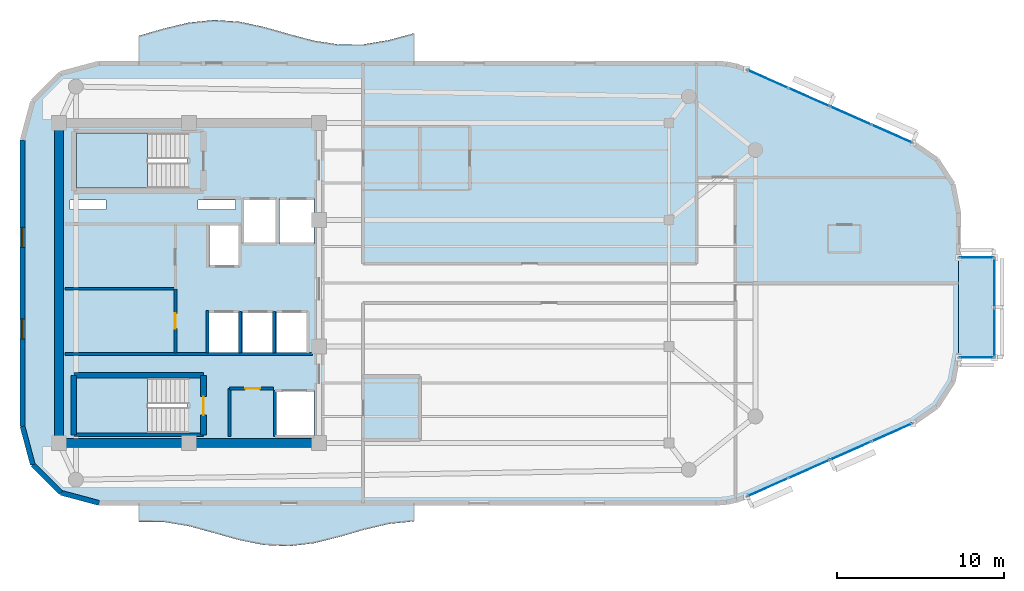
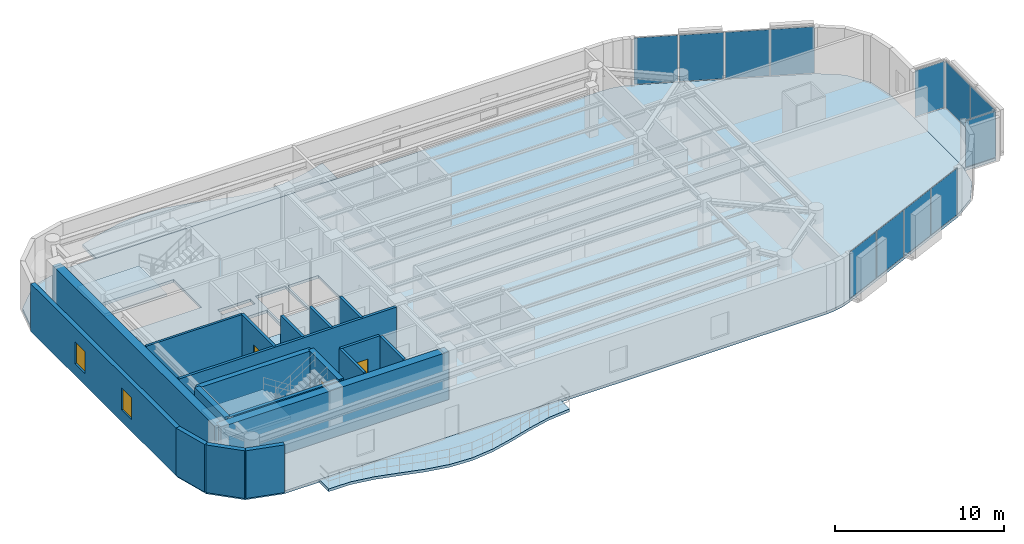
# One storey, part 8 of 13: 19 walls, 12 plates, 6 slabs, 3 doors, 2 windows, 5 openings, 7 elements without a shape of their own.
"""IFC4 building model written with IfcOpenShell, lengths in metres."""

from ifc_helpers import new_model, si_unit, direction, frame, frame_2d, origin, origin_2d, place, context, subcontext, project, spatial, polyline, rectangle, outline, extrude, material, layer, layer_set, type_object, element, fill, aggregate, save


model = new_model("IFC4")

# Units and contexts
model_context = context("Model", 3, precision=1e-05, world=origin(), true_north=direction((0.0, 1.0)))
body_context = subcontext(model_context, "Body", "Model", "MODEL_VIEW")
ifc_project = project(units=[si_unit("LENGTHUNIT", "METRE"), si_unit("AREAUNIT", "SQUARE_METRE"), si_unit("VOLUMEUNIT", "CUBIC_METRE"), si_unit("PLANEANGLEUNIT", "RADIAN"), si_unit("MASSUNIT", "GRAM", prefix="KILO")], contexts=[model_context])

# Site, building, storey
site_placement = place(None, origin())
site = spatial("IfcSite", under=ifc_project, at=site_placement, CompositionType="ELEMENT")
building_placement = place(site_placement, origin())
building = spatial("IfcBuilding", under=site, at=building_placement, Name="An Khanh Terracotta Commons", CompositionType="ELEMENT")
storey_placement = place(building_placement, frame((0.0, 0.0, 288.0)))
storey = spatial("IfcBuildingStorey", under=building, at=storey_placement, Name="L75", CompositionType="ELEMENT", Elevation=288.0)

# Curtain wall, plates
ifc_material_1 = material(Name="Anodised Aluminium 6063-T6", Category="aluminium")
ifc_layer_1 = layer(ifc_material_1, 0.2099609375, Name="Anodised Aluminium 6063-T6")
ifc_layer_set_1 = layer_set([ifc_layer_1], Name="Anodised Aluminium 6063-T6")
curtain_wall_type_1 = type_object("IfcCurtainWallType", Name="CW-SYS-03", PredefinedType="USERDEFINED", material=ifc_layer_set_1)
curtain_wall_1_placement = place(storey_placement, origin())
curtain_wall_1 = element("IfcCurtainWall", 1, at=curtain_wall_1_placement, inside=storey, type_object=curtain_wall_type_1, Name="L75 CW-03 Unitised Curtain Wall CW-L75-08", ObjectType="UNITISED CURTAIN WALL", PredefinedType="USERDEFINED")
ifc_material_2 = material(Name="Acoustic Laminated Low-E Glazing", Category="glass")
ifc_layer_2 = layer(ifc_material_2, 0.035888671875, Name="Acoustic Laminated Low-E Glazing")
ifc_layer_set_2 = layer_set([ifc_layer_2], Name="Acoustic Laminated Low-E Glazing")
plate_type_1 = type_object("IfcPlateType", Name="CWP-IGU-36", PredefinedType="CURTAIN_PANEL", material=ifc_layer_set_2)
plate_1_placement = place(storey_placement, frame((64.149169921875, 11.748046875, 0.050048828125), z_axis=(0.0, 0.0, 1.0), x_axis=(0.914901853201, 0.403676354285, 0.0)))
plate_1 = element("IfcPlate", 2, at=plate_1_placement, type_object=plate_type_1, Name="CW-03 panel 1.1", PredefinedType="CURTAIN_PANEL", context=body_context, shape_type="SweptSolid", body=[
    extrude(rectangle(XDim=2.619384765625, YDim=0.035888671875, at=origin_2d()), origin(), (0.0, 0.0, 1.0), 3.35009765625),
])
plate_2_placement = place(storey_placement, frame((66.625732421875, 12.840576171875, 0.050048828125), z_axis=(0.0, 0.0, 1.0), x_axis=(0.914901853201, 0.403676354285, 0.0)))
plate_2 = element("IfcPlate", 3, at=plate_2_placement, type_object=plate_type_1, Name="CW-03 panel 2.1", PredefinedType="CURTAIN_PANEL", context=body_context, shape_type="SweptSolid", body=[
    extrude(rectangle(XDim=2.654296875, YDim=0.035888671875, at=origin_2d()), origin(), (0.0, 0.0, 1.0), 3.35009765625),
])
plate_3_placement = place(storey_placement, frame((69.1181640625, 13.9404296875, 0.050048828125), z_axis=(0.0, 0.0, 1.0), x_axis=(0.914901853201, 0.403676354285, 0.0)))
plate_3 = element("IfcPlate", 4, at=plate_3_placement, type_object=plate_type_1, Name="CW-03 panel 3.1", PredefinedType="CURTAIN_PANEL", context=body_context, shape_type="SweptSolid", body=[
    extrude(rectangle(XDim=2.654296875, YDim=0.035888671875, at=origin_2d()), origin(), (0.0, 0.0, 1.0), 3.35009765625),
])
plate_4_placement = place(storey_placement, frame((71.5947265625, 15.032958984375, 0.050048828125), z_axis=(0.0, 0.0, 1.0), x_axis=(0.914901853201, 0.403676354285, 0.0)))
plate_4 = element("IfcPlate", 5, at=plate_4_placement, type_object=plate_type_1, Name="CW-03 panel 4.1", PredefinedType="CURTAIN_PANEL", context=body_context, shape_type="SweptSolid", body=[
    extrude(rectangle(XDim=2.619384765625, YDim=0.035888671875, at=origin_2d()), origin(), (0.0, 0.0, 1.0), 3.35009765625),
])
aggregate(curtain_wall_1, [plate_1, plate_2, plate_3, plate_4])

curtain_wall_2_placement = place(storey_placement, origin())
curtain_wall_2 = element("IfcCurtainWall", 6, at=curtain_wall_2_placement, inside=storey, type_object=curtain_wall_type_1, Name="L75 CW-03 Unitised Curtain Wall CW-L75-16", ObjectType="UNITISED CURTAIN WALL", PredefinedType="USERDEFINED")
plate_5_placement = place(storey_placement, frame((71.5947265625, 32.967041015625, 0.050048828125), z_axis=(0.0, 0.0, 1.0), x_axis=(-0.914901853201, 0.403676354285, 0.0)))
plate_5 = element("IfcPlate", 7, at=plate_5_placement, type_object=plate_type_1, Name="CW-03 panel 1.1", PredefinedType="CURTAIN_PANEL", context=body_context, shape_type="SweptSolid", body=[
    extrude(rectangle(XDim=2.619384765625, YDim=0.035888671875, at=origin_2d()), origin(), (0.0, 0.0, 1.0), 3.35009765625),
])
plate_6_placement = place(storey_placement, frame((69.1181640625, 34.0595703125, 0.050048828125), z_axis=(0.0, 0.0, 1.0), x_axis=(-0.914901853201, 0.403676354285, 0.0)))
plate_6 = element("IfcPlate", 8, at=plate_6_placement, type_object=plate_type_1, Name="CW-03 panel 2.1", PredefinedType="CURTAIN_PANEL", context=body_context, shape_type="SweptSolid", body=[
    extrude(rectangle(XDim=2.654296875, YDim=0.035888671875, at=origin_2d()), origin(), (0.0, 0.0, 1.0), 3.35009765625),
])
plate_7_placement = place(storey_placement, frame((66.625732421875, 35.159423828125, 0.050048828125), z_axis=(0.0, 0.0, 1.0), x_axis=(-0.914901853201, 0.403676354285, 0.0)))
plate_7 = element("IfcPlate", 9, at=plate_7_placement, type_object=plate_type_1, Name="CW-03 panel 3.1", PredefinedType="CURTAIN_PANEL", context=body_context, shape_type="SweptSolid", body=[
    extrude(rectangle(XDim=2.654296875, YDim=0.035888671875, at=origin_2d()), origin(), (0.0, 0.0, 1.0), 3.35009765625),
])
plate_8_placement = place(storey_placement, frame((64.149169921875, 36.251953125, 0.050048828125), z_axis=(0.0, 0.0, 1.0), x_axis=(-0.914901853201, 0.403676354285, 0.0)))
plate_8 = element("IfcPlate", 10, at=plate_8_placement, type_object=plate_type_1, Name="CW-03 panel 4.1", PredefinedType="CURTAIN_PANEL", context=body_context, shape_type="SweptSolid", body=[
    extrude(rectangle(XDim=2.619384765625, YDim=0.035888671875, at=origin_2d()), origin(), (0.0, 0.0, 1.0), 3.35009765625),
])
aggregate(curtain_wall_2, [plate_5, plate_6, plate_7, plate_8])

ifc_layer_3 = layer(ifc_material_1, 0.239990234375, Name="Anodised Aluminium 6063-T6")
ifc_layer_set_3 = layer_set([ifc_layer_3], Name="Anodised Aluminium 6063-T6")
curtain_wall_type_2 = type_object("IfcCurtainWallType", Name="CW-SYS-04", PredefinedType="USERDEFINED", material=ifc_layer_set_3)
curtain_wall_3_placement = place(storey_placement, origin())
curtain_wall_3 = element("IfcCurtainWall", 11, at=curtain_wall_3_placement, inside=storey, type_object=curtain_wall_type_2, Name="L75 CW-04 Unitised Curtain Wall CW-L75-EBOX-1", ObjectType="UNITISED CURTAIN WALL", PredefinedType="USERDEFINED")
ifc_material_3 = material(Name="Triple-Silver Sky-Lobby Glazing", Category="glass")
ifc_layer_4 = layer(ifc_material_3, 0.0400390625, Name="Triple-Silver Sky-Lobby Glazing")
ifc_layer_set_4 = layer_set([ifc_layer_4], Name="Triple-Silver Sky-Lobby Glazing")
plate_type_2 = type_object("IfcPlateType", Name="CWP-IGU-40", PredefinedType="CURTAIN_PANEL", material=ifc_layer_set_4)
plate_9_placement = place(storey_placement, frame((77.75, 21.046142578125, 0.06005859375), z_axis=(0.0, 0.0, 1.0), x_axis=(0.0, 1.0, 0.0)))
plate_9 = element("IfcPlate", 12, at=plate_9_placement, type_object=plate_type_2, Name="CW-04 panel 1.1", PredefinedType="CURTAIN_PANEL", context=body_context, shape_type="SweptSolid", body=[
    extrude(rectangle(XDim=2.902587890625, YDim=0.0400390625, at=origin_2d()), origin(), (0.0, 0.0, 1.0), 3.330078125),
])
plate_10_placement = place(storey_placement, frame((77.75, 24.013671875, 0.06005859375), z_axis=(0.0, 0.0, 1.0), x_axis=(0.0, 1.0, 0.0)))
plate_10 = element("IfcPlate", 13, at=plate_10_placement, type_object=plate_type_2, Name="CW-04 panel 2.1", PredefinedType="CURTAIN_PANEL", context=body_context, shape_type="SweptSolid", body=[
    extrude(rectangle(XDim=2.902587890625, YDim=0.0400390625, at=origin_2d()), origin(), (0.0, 0.0, 1.0), 3.330078125),
])
aggregate(curtain_wall_3, [plate_9, plate_10])

# Curtain wall, plate
curtain_wall_4_placement = place(storey_placement, origin())
curtain_wall_4 = element("IfcCurtainWall", 14, at=curtain_wall_4_placement, inside=storey, type_object=curtain_wall_type_2, Name="L75 CW-04 Unitised Curtain Wall CW-L75-EBOX-2", ObjectType="UNITISED CURTAIN WALL", PredefinedType="USERDEFINED")
plate_11_placement = place(storey_placement, frame((76.675048828125, 19.530029296875, 0.06005859375), z_axis=(0.0, 0.0, 1.0), x_axis=(1.0, 0.0, 0.0)))
plate_11 = element("IfcPlate", 15, at=plate_11_placement, type_object=plate_type_2, Name="CW-04 panel 1.1", PredefinedType="CURTAIN_PANEL", context=body_context, shape_type="SweptSolid", body=[
    extrude(rectangle(XDim=2.02001953125, YDim=0.0400390625, at=origin_2d()), origin(), (0.0, 0.0, 1.0), 3.330078125),
])
aggregate(curtain_wall_4, [plate_11])

curtain_wall_5_placement = place(storey_placement, origin())
curtain_wall_5 = element("IfcCurtainWall", 16, at=curtain_wall_5_placement, inside=storey, type_object=curtain_wall_type_2, Name="L75 CW-04 Unitised Curtain Wall CW-L75-EBOX-3", ObjectType="UNITISED CURTAIN WALL", PredefinedType="USERDEFINED")
plate_12_placement = place(storey_placement, frame((76.675048828125, 25.530029296875, 0.06005859375), z_axis=(0.0, 0.0, 1.0), x_axis=(-1.0, 0.0, 0.0)))
plate_12 = element("IfcPlate", 17, at=plate_12_placement, type_object=plate_type_2, Name="CW-04 panel 1.1", PredefinedType="CURTAIN_PANEL", context=body_context, shape_type="SweptSolid", body=[
    extrude(rectangle(XDim=2.02001953125, YDim=0.0400390625, at=origin_2d()), origin(), (0.0, 0.0, 1.0), 3.330078125),
])
aggregate(curtain_wall_5, [plate_12])

# Slabs
ifc_material_4 = material(Name="Concrete C40/50", Category="concrete")
ifc_layer_5 = layer(ifc_material_4, 0.199951171875, Name="Concrete C40/50")
ifc_layer_set_5 = layer_set([ifc_layer_5], Name="Concrete C40/50")
slab_type_1 = type_object("IfcSlabType", Name="SLAB-BALC-200", PredefinedType="FLOOR", material=ifc_layer_set_5)
slab_1_placement = place(storey_placement, frame((0.0, 0.0, -0.199951171875)))
element("IfcSlab", 18, at=slab_1_placement, inside=storey, type_object=slab_type_1, Name="L75 S Sinusoidal Wave Balcony Slab", PredefinedType="FLOOR", context=body_context, shape_type="SweptSolid", body=[
    extrude(outline(polyline([(26.39990234375, 10.800048828125), (26.39990234375, 9.674072265625), (27.89990234375, 9.659912109375), (29.39990234375, 9.406982421875), (30.89990234375, 8.9990234375), (32.39990234375, 8.574951171875), (33.89990234375, 8.277099609375), (35.39990234375, 8.2060546875), (36.89990234375, 8.385986328125), (38.39990234375, 8.756103515625), (39.89990234375, 9.19091796875), (41.39990234375, 9.544921875), (42.89990234375, 9.697998046875), (42.89990234375, 10.800048828125), (26.39990234375, 10.800048828125)])), origin(), (0.0, 0.0, 1.0), 0.199951171875),
])
slab_2_placement = place(storey_placement, frame((0.0, 0.0, -0.199951171875)))
element("IfcSlab", 19, at=slab_2_placement, inside=storey, type_object=slab_type_1, Name="L75 N Sinusoidal Wave Balcony Slab", PredefinedType="FLOOR", context=body_context, shape_type="SweptSolid", body=[
    extrude(outline(polyline([(42.89990234375, 37.199951171875), (42.89990234375, 39.0009765625), (41.39990234375, 38.593017578125), (39.89990234375, 38.340087890625), (38.39990234375, 38.325927734375), (36.89990234375, 38.554931640625), (35.39990234375, 38.951904296875), (33.89990234375, 39.382080078125), (32.39990234375, 39.699951171875), (30.89990234375, 39.798095703125), (29.39990234375, 39.64501953125), (27.89990234375, 39.291015625), (26.39990234375, 38.85595703125), (26.39990234375, 37.199951171875), (42.89990234375, 37.199951171875)])), origin(), (0.0, 0.0, 1.0), 0.199951171875),
])

# Stair, slab
ifc_material_5 = material(Name="Precast concrete C40/50", Category="concrete")
stair_type = type_object("IfcStairType", Name="STAIR-CORE-1550", PredefinedType="HALF_TURN_STAIR", material=ifc_material_5)
stair_1_placement = place(storey_placement, origin())
stair_1 = element("IfcStair", 20, at=stair_1_placement, inside=storey, type_object=stair_type, Name="L75 Core Smokeproof Exit Stair ST-01", PredefinedType="HALF_TURN_STAIR")
ifc_layer_6 = layer(ifc_material_4, 0.18994140625, Name="Concrete C40/50")
ifc_layer_set_6 = layer_set([ifc_layer_6], Name="Concrete C40/50")
slab_type_2 = type_object("IfcSlabType", Name="SLAB-LANDING-190", PredefinedType="LANDING", material=ifc_layer_set_6)
slab_3_placement = place(storey_placement, frame((0.0, 0.0, 1.625)))
slab_3 = element("IfcSlab", 21, at=slab_3_placement, type_object=slab_type_2, Name="ST-01 landing 1", PredefinedType="LANDING", context=body_context, shape_type="SweptSolid", body=[
    extrude(outline(polyline([(26.889892578125, 33.0), (22.64990234375, 33.0), (22.64990234375, 29.699951171875), (26.889892578125, 29.699951171875), (26.889892578125, 33.0)])), origin(), (0.0, 0.0, 1.0), 0.199951171875),
])
aggregate(stair_1, [slab_3])

stair_2_placement = place(storey_placement, origin())
stair_2 = element("IfcStair", 22, at=stair_2_placement, inside=storey, type_object=stair_type, Name="L75 Core Smokeproof Exit Stair ST-02", PredefinedType="HALF_TURN_STAIR")
slab_4_placement = place(storey_placement, frame((0.0, 0.0, 1.625)))
slab_4 = element("IfcSlab", 23, at=slab_4_placement, type_object=slab_type_2, Name="ST-02 landing 1", PredefinedType="LANDING", context=body_context, shape_type="SweptSolid", body=[
    extrude(outline(polyline([(26.889892578125, 18.300048828125), (22.64990234375, 18.300048828125), (22.64990234375, 15.0), (26.889892578125, 15.0), (26.889892578125, 18.300048828125)])), origin(), (0.0, 0.0, 1.0), 0.199951171875),
])
aggregate(stair_2, [slab_4])

# Slabs
ifc_layer_7 = layer(ifc_material_4, 0.199951171875, Name="Concrete C40/50")
ifc_layer_set_7 = layer_set([ifc_layer_7], Name="Concrete C40/50")
slab_type_3 = type_object("IfcSlabType", Name="SLAB-TYP-200", PredefinedType="FLOOR", material=ifc_layer_set_7)
slab_5_placement = place(storey_placement, frame((0.0, 0.0, -0.199951171875)))
element("IfcSlab", 24, at=slab_5_placement, inside=storey, type_object=slab_type_3, Name="L75 Structural Floor Slab", PredefinedType="FLOOR", context=body_context, shape_type="SweptSolid", body=[
    extrude(outline(polyline([(19.39990234375, 15.39990234375), (20.01611328125, 13.10009765625), (21.699951171875, 11.416015625), (24.0, 10.800048828125), (61.030029296875, 10.800048828125), (61.6650390625, 10.843994140625), (62.2880859375, 10.97509765625), (62.886962890625, 11.19091796875), (72.85693359375, 15.590087890625), (74.302001953125, 16.594970703125), (75.262939453125, 18.070068359375), (75.60009765625, 19.798095703125), (75.60009765625, 28.201904296875), (75.262939453125, 29.929931640625), (74.302001953125, 31.405029296875), (72.85693359375, 32.409912109375), (62.886962890625, 36.80908203125), (62.2880859375, 37.02490234375), (61.6650390625, 37.156005859375), (61.030029296875, 37.199951171875), (24.0, 37.199951171875), (21.699951171875, 36.583984375), (20.01611328125, 34.89990234375), (19.39990234375, 32.60009765625), (19.39990234375, 15.39990234375)]), holes=[polyline([(22.64990234375, 29.699951171875), (29.27001953125, 29.699951171875), (29.27001953125, 33.0), (22.64990234375, 33.0), (22.64990234375, 29.699951171875)]), polyline([(22.64990234375, 15.0), (29.27001953125, 15.0), (29.27001953125, 18.300048828125), (22.64990234375, 18.300048828125), (22.64990234375, 15.0)]), polyline([(32.60009765625, 26.35009765625), (34.679931640625, 26.35009765625), (34.679931640625, 29.080078125), (32.60009765625, 29.080078125), (32.60009765625, 26.35009765625)]), polyline([(34.820068359375, 26.35009765625), (36.89990234375, 26.35009765625), (36.89990234375, 29.080078125), (34.820068359375, 29.080078125), (34.820068359375, 26.35009765625)]), polyline([(34.550048828125, 14.800048828125), (36.89990234375, 14.800048828125), (36.89990234375, 17.550048828125), (34.550048828125, 17.550048828125), (34.550048828125, 14.800048828125)]), polyline([(30.639892578125, 25.0), (32.4599609375, 25.0), (32.4599609375, 27.5), (30.639892578125, 27.5), (30.639892578125, 25.0)]), polyline([(30.56005859375, 19.800048828125), (32.4599609375, 19.800048828125), (32.4599609375, 22.300048828125), (30.56005859375, 22.300048828125), (30.56005859375, 19.800048828125)]), polyline([(32.60009765625, 19.800048828125), (34.5, 19.800048828125), (34.5, 22.300048828125), (32.60009765625, 22.300048828125), (32.60009765625, 19.800048828125)]), polyline([(34.639892578125, 19.800048828125), (36.5400390625, 19.800048828125), (36.5400390625, 22.300048828125), (34.639892578125, 22.300048828125), (34.639892578125, 19.800048828125)]), polyline([(22.25, 28.419921875), (24.39990234375, 28.419921875), (24.39990234375, 28.97998046875), (22.25, 28.97998046875), (22.25, 28.419921875)]), polyline([(29.949951171875, 28.419921875), (32.199951171875, 28.419921875), (32.199951171875, 28.97998046875), (29.949951171875, 28.97998046875), (29.949951171875, 28.419921875)])]), origin(), (0.0, 0.0, 1.0), 0.199951171875),
])
slab_6_placement = place(storey_placement, frame((0.0, 0.0, -0.199951171875)))
element("IfcSlab", 25, at=slab_6_placement, inside=storey, type_object=slab_type_3, Name="L75 Shifted Social Kitchen Box Floor Slab", PredefinedType="FLOOR", context=body_context, shape_type="SweptSolid", body=[
    extrude(outline(polyline([(75.60009765625, 19.530029296875), (77.75, 19.530029296875), (77.75, 25.530029296875), (75.60009765625, 25.530029296875), (75.60009765625, 19.530029296875)])), origin(), (0.0, 0.0, 1.0), 0.199951171875),
])

# Walls
ifc_material_6 = material(Name="Concrete C50/60", Category="concrete")
ifc_layer_8 = layer(ifc_material_6, 0.550048828125, Name="Concrete C50/60")
ifc_layer_set_8 = layer_set([ifc_layer_8], Name="Concrete C50/60")
wall_type_1 = type_object("IfcWallType", Name="WALL-CORE-550", PredefinedType="SHEAR", material=ifc_layer_set_8)
wall_1_placement = place(storey_placement, frame((21.60009765625, 14.39990234375, 0.0), z_axis=(0.0, 0.0, 1.0), x_axis=(0.0, 1.0, 0.0)))
element("IfcWall", 26, at=wall_1_placement, inside=storey, type_object=wall_type_1, Name="L75 Core Wall CWALL-L75-W", PredefinedType="SHEAR", context=body_context, shape_type="SweptSolid", body=[
    extrude(rectangle(XDim=19.2001953125, YDim=0.550048828125, at=frame_2d((9.60009765625, 0.0))), origin(), (0.0, 0.0, 1.0), 3.449951171875),
])
wall_2_placement = place(storey_placement, frame((37.199951171875, 14.39990234375, 0.0), z_axis=(0.0, 0.0, 1.0), x_axis=(-1.0, 0.0, 0.0)))
element("IfcWall", 27, at=wall_2_placement, inside=storey, type_object=wall_type_1, Name="L75 Core Wall CWALL-L75-S", PredefinedType="SHEAR", context=body_context, shape_type="SweptSolid", body=[
    extrude(rectangle(XDim=15.599853515625, YDim=0.550048828125, at=frame_2d((7.7998046875, 0.0))), origin(), (0.0, 0.0, 1.0), 3.449951171875),
])
ifc_material_7 = material(Name="Fire-Rated Gypsum Board on Steel Stud", Category="steel")
ifc_layer_9 = layer(ifc_material_7, 0.179931640625, Name="Fire-Rated Gypsum Board on Steel Stud")
ifc_layer_set_9 = layer_set([ifc_layer_9], Name="Fire-Rated Gypsum Board on Steel Stud")
wall_type_2 = type_object("IfcWallType", Name="WALL-CORR-180", PredefinedType="PARTITIONING", material=ifc_layer_set_9)
wall_3_placement = place(storey_placement, frame((21.949951171875, 19.760009765625, 0.0), z_axis=(0.0, 0.0, 1.0), x_axis=(1.0, 0.0, 0.0)))
element("IfcWall", 28, at=wall_3_placement, inside=storey, type_object=wall_type_2, Name="L75 Core Wall SVW-L75-N", PredefinedType="PARTITIONING", context=body_context, shape_type="SweptSolid", body=[
    extrude(rectangle(XDim=14.8701171875, YDim=0.179931640625, at=frame_2d((7.43505859375, 0.0))), origin(), (0.0, 0.0, 1.0), 3.449951171875),
])

# Wall, opening, door
wall_4_placement = place(storey_placement, frame((31.820068359375, 17.679931640625, 0.0), z_axis=(0.0, 0.0, 1.0), x_axis=(1.0, 0.0, 0.0)))
wall_4 = element("IfcWall", 29, at=wall_4_placement, inside=storey, type_object=wall_type_2, Name="L75 Core Wall SSVCW-L75-N", PredefinedType="PARTITIONING", context=body_context, shape_type="SweptSolid", body=[
    extrude(rectangle(XDim=2.659912109375, YDim=0.179931640625, at=frame_2d((1.330078125, 0.0))), origin(), (0.0, 0.0, 1.0), 3.449951171875),
])
opening_1_placement = place(wall_4_placement, frame((0.949951171875, 0.0, 0.0)))
opening_1 = element("IfcOpeningElement", 30, at=opening_1_placement, cuts=wall_4, Name="Opening D-SV", PredefinedType="OPENING", context=body_context, shape_type="SweptSolid", body=[
    extrude(rectangle(XDim=0.89990234375, YDim=2.050048828125, at=frame_2d((0.449951171875, 1.02490234375))), frame((0.0, 0.099853515625, 0.0), z_axis=(0.0, -1.0, 0.0), x_axis=(1.0, 0.0, 0.0)), (0.0, 0.0, 1.0), 0.199951171875),
])
ifc_material_8 = material(Name="Fire-Rated Powder-Coated Steel Door", Category="steel")
door_type_1 = type_object("IfcDoorType", Name="DOOR-SERV-900", OperationType="NOTDEFINED", PredefinedType="DOOR", material=ifc_material_8)
door_1_placement = place(opening_1_placement, origin())
door_1 = element("IfcDoor", 31, at=door_1_placement, inside=storey, type_object=door_type_1, Name="L75 Electrical Switch Cupboard Door", OperationType="SINGLE_SWING_RIGHT", OverallHeight=2.050048828125, OverallWidth=0.89990234375, PredefinedType="DOOR", context=body_context, shape_type="SweptSolid", body=[
    extrude(rectangle(XDim=0.89990234375, YDim=2.050048828125, at=frame_2d((0.449951171875, 1.02490234375))), frame((0.0, 0.02490234375, 0.0), z_axis=(0.0, -1.0, 0.0), x_axis=(1.0, 0.0, 0.0)), (0.0, 0.0, 1.0), 0.050048828125),
])
fill(opening_1, door_1)

# Walls
wall_5_placement = place(storey_placement, frame((31.820068359375, 14.800048828125, 0.0), z_axis=(0.0, 0.0, 1.0), x_axis=(0.0, 1.0, 0.0)))
element("IfcWall", 32, at=wall_5_placement, inside=storey, type_object=wall_type_2, Name="L75 Core Wall SSVCW-L75-W", PredefinedType="PARTITIONING", context=body_context, shape_type="SweptSolid", body=[
    extrude(rectangle(XDim=2.8798828125, YDim=0.179931640625, at=frame_2d((1.43994140625, 0.0))), origin(), (0.0, 0.0, 1.0), 3.449951171875),
])
wall_6_placement = place(storey_placement, frame((34.550048828125, 17.550048828125, 0.0), z_axis=(0.0, 0.0, 1.0), x_axis=(0.0, -1.0, 0.0)))
element("IfcWall", 33, at=wall_6_placement, inside=storey, type_object=wall_type_2, Name="L75 Core Wall LSH-L75-SVL-01-W", PredefinedType="PARTITIONING", context=body_context, shape_type="SweptSolid", body=[
    extrude(rectangle(XDim=2.75, YDim=0.179931640625, at=frame_2d((1.375, 0.0))), origin(), (0.0, 0.0, 1.0), 3.449951171875),
])
for number, where, z_axis, x_axis, name in (
    (34, (32.4599609375, 19.800048828125, 0.0), (0.0, 0.0, 1.0), (0.0, 1.0, 0.0), "L75 Core Wall LSH-L75-PL-H2-E"),
    (35, (34.5, 19.800048828125, 0.0), (0.0, 0.0, 1.0), (0.0, 1.0, 0.0), "L75 Core Wall LSH-L75-PL-H3-E"),
):
    element("IfcWall", number, at=place(storey_placement, frame(where, z_axis=z_axis, x_axis=x_axis)), inside=storey, type_object=wall_type_2, Name=name, PredefinedType="PARTITIONING", context=body_context, shape_type="SweptSolid", body=[
        extrude(rectangle(XDim=2.5, YDim=0.179931640625, at=frame_2d((1.25, 0.0))), origin(), (0.0, 0.0, 1.0), 3.449951171875),
    ])
wall_7_placement = place(storey_placement, frame((30.52001953125, 19.800048828125, 0.0), z_axis=(0.0, 0.0, 1.0), x_axis=(0.0, 1.0, 0.0)))
element("IfcWall", 36, at=wall_7_placement, inside=storey, type_object=wall_type_2, Name="L75 Core Wall RECW-L75-BE2", PredefinedType="PARTITIONING", context=body_context, shape_type="SweptSolid", body=[
    extrude(rectangle(XDim=2.550048828125, YDim=0.179931640625, at=frame_2d((1.27490234375, 0.0))), origin(), (0.0, 0.0, 1.0), 3.449951171875),
])

# Wall, opening, door
wall_8_placement = place(storey_placement, frame((28.580078125, 19.800048828125, 0.0), z_axis=(0.0, 0.0, 1.0), x_axis=(0.0, 1.0, 0.0)))
wall_8 = element("IfcWall", 37, at=wall_8_placement, inside=storey, type_object=wall_type_2, Name="L75 Core Wall RECW-L75-E2", PredefinedType="PARTITIONING", context=body_context, shape_type="SweptSolid", body=[
    extrude(rectangle(XDim=3.849853515625, YDim=0.179931640625, at=frame_2d((1.9248046875, 0.0))), origin(), (0.0, 0.0, 1.0), 3.449951171875),
])
opening_2_placement = place(wall_8_placement, frame((1.465087890625, 0.0, 0.0)))
opening_2 = element("IfcOpeningElement", 38, at=opening_2_placement, cuts=wall_8, Name="Opening D-RM", PredefinedType="OPENING", context=body_context, shape_type="SweptSolid", body=[
    extrude(rectangle(XDim=0.919921875, YDim=2.10009765625, at=frame_2d((0.4599609375, 1.050048828125))), frame((0.0, 0.099853515625, 0.0), z_axis=(0.0, -1.0, 0.0), x_axis=(1.0, 0.0, 0.0)), (0.0, 0.0, 1.0), 0.199951171875),
])
ifc_material_9 = material(Name="Engineered Hardwood Timber Leaf", Category="wood")
door_type_2 = type_object("IfcDoorType", Name="DOOR-INT-920", OperationType="NOTDEFINED", PredefinedType="DOOR", material=ifc_material_9)
door_2_placement = place(opening_2_placement, origin())
door_2 = element("IfcDoor", 39, at=door_2_placement, inside=storey, type_object=door_type_2, Name="L75 Quiet Fellowship Study Room Door", OperationType="SINGLE_SWING_RIGHT", OverallHeight=2.10009765625, OverallWidth=0.919921875, PredefinedType="DOOR", context=body_context, shape_type="SweptSolid", body=[
    extrude(rectangle(XDim=0.919921875, YDim=2.10009765625, at=frame_2d((0.4599609375, 1.050048828125))), frame((0.0, 0.02490234375, 0.0), z_axis=(0.0, -1.0, 0.0), x_axis=(1.0, 0.0, 0.0)), (0.0, 0.0, 1.0), 0.050048828125),
])
fill(opening_2, door_2)

# Walls
ifc_layer_10 = layer(ifc_material_5, 0.300048828125, Name="Precast concrete C40/50")
ifc_layer_set_10 = layer_set([ifc_layer_10], Name="Precast concrete C40/50")
wall_type_3 = type_object("IfcWallType", Name="WALL-EXT-300", PredefinedType="SOLIDWALL", material=ifc_layer_set_10)
wall_9_placement = place(storey_placement, frame((19.39990234375, 15.39990234375, 0.0), z_axis=(0.0, 0.0, 1.0), x_axis=(0.258811258154, -0.965927912762, 0.0)))
element("IfcWall", 40, at=wall_9_placement, inside=storey, type_object=wall_type_3, Name="L75 Insulated Terracotta Exterior Wall 1", PredefinedType="SOLIDWALL", context=body_context, shape_type="SweptSolid", body=[
    extrude(rectangle(XDim=2.380859375, YDim=0.300048828125, at=frame_2d((1.1904296875, 0.0))), origin(), (0.0, 0.0, 1.0), 3.449951171875),
])
wall_10_placement = place(storey_placement, frame((20.01611328125, 13.10009765625, 0.0), z_axis=(0.0, 0.0, 1.0), x_axis=(0.707055521135, -0.707158037522, 0.0)))
element("IfcWall", 41, at=wall_10_placement, inside=storey, type_object=wall_type_3, Name="L75 Insulated Terracotta Exterior Wall 2", PredefinedType="SOLIDWALL", context=body_context, shape_type="SweptSolid", body=[
    extrude(rectangle(XDim=2.381591796875, YDim=0.300048828125, at=frame_2d((1.19091796875, 0.0))), origin(), (0.0, 0.0, 1.0), 3.449951171875),
])
wall_11_placement = place(storey_placement, frame((21.699951171875, 11.416015625, 0.0), z_axis=(0.0, 0.0, 1.0), x_axis=(0.965960405575, -0.25868995895, 0.0)))
element("IfcWall", 42, at=wall_11_placement, inside=storey, type_object=wall_type_3, Name="L75 Insulated Terracotta Exterior Wall 3", PredefinedType="SOLIDWALL", context=body_context, shape_type="SweptSolid", body=[
    extrude(rectangle(XDim=2.381103515625, YDim=0.300048828125, at=frame_2d((1.1904296875, 0.0))), origin(), (0.0, 0.0, 1.0), 3.449951171875),
])

# Wall, openings, windows
wall_12_placement = place(storey_placement, frame((19.39990234375, 32.60009765625, 0.0), z_axis=(0.0, 0.0, 1.0), x_axis=(0.0, -1.0, 0.0)))
wall_12 = element("IfcWall", 43, at=wall_12_placement, inside=storey, type_object=wall_type_3, Name="L75 Insulated Terracotta Exterior Wall 24", PredefinedType="SOLIDWALL", context=body_context, shape_type="SweptSolid", body=[
    extrude(rectangle(XDim=17.2001953125, YDim=0.300048828125, at=frame_2d((8.60009765625, 0.0))), origin(), (0.0, 0.0, 1.0), 3.449951171875),
])
opening_3_placement = place(wall_12_placement, frame((5.25, 0.0, 0.85009765625)))
opening_3 = element("IfcOpeningElement", 44, at=opening_3_placement, cuts=wall_12, Name="Opening W-05", PredefinedType="OPENING", context=body_context, shape_type="SweptSolid", body=[
    extrude(rectangle(XDim=1.199951171875, YDim=1.60009765625, at=frame_2d((0.60009765625, 0.800048828125))), frame((0.0, 0.159912109375, 0.0), z_axis=(0.0, -1.0, 0.0), x_axis=(1.0, 0.0, 0.0)), (0.0, 0.0, 1.0), 0.320068359375),
])
opening_4_placement = place(wall_12_placement, frame((10.75, 0.0, 0.85009765625)))
opening_4 = element("IfcOpeningElement", 45, at=opening_4_placement, cuts=wall_12, Name="Opening W-05", PredefinedType="OPENING", context=body_context, shape_type="SweptSolid", body=[
    extrude(rectangle(XDim=1.199951171875, YDim=1.60009765625, at=frame_2d((0.60009765625, 0.800048828125))), frame((0.0, 0.159912109375, 0.0), z_axis=(0.0, -1.0, 0.0), x_axis=(1.0, 0.0, 0.0)), (0.0, 0.0, 1.0), 0.320068359375),
])
ifc_material_10 = material(Name="Thermally Broken Aluminium and Low-E Glass", Category="aluminium")
window_type = type_object("IfcWindowType", Name="WIN-Z5-1200x1600", PartitioningType="SINGLE_PANEL", PredefinedType="WINDOW", material=ifc_material_10)
window_1_placement = place(opening_3_placement, origin())
window_1 = element("IfcWindow", 46, at=window_1_placement, inside=storey, type_object=window_type, Name="L75 Operable Casement Window 24.1", OverallHeight=1.60009765625, OverallWidth=1.199951171875, PartitioningType="SINGLE_PANEL", PredefinedType="WINDOW", context=body_context, shape_type="SweptSolid", body=[
    extrude(rectangle(XDim=1.199951171875, YDim=1.60009765625, at=frame_2d((0.60009765625, 0.800048828125))), frame((0.0, 0.030029296875, 0.0), z_axis=(0.0, -1.0, 0.0), x_axis=(1.0, 0.0, 0.0)), (0.0, 0.0, 1.0), 0.06005859375),
])
fill(opening_3, window_1)
window_2_placement = place(opening_4_placement, origin())
window_2 = element("IfcWindow", 47, at=window_2_placement, inside=storey, type_object=window_type, Name="L75 Operable Casement Window 24.2", OverallHeight=1.60009765625, OverallWidth=1.199951171875, PartitioningType="SINGLE_PANEL", PredefinedType="WINDOW", context=body_context, shape_type="SweptSolid", body=[
    extrude(rectangle(XDim=1.199951171875, YDim=1.60009765625, at=frame_2d((0.60009765625, 0.800048828125))), frame((0.0, 0.030029296875, 0.0), z_axis=(0.0, -1.0, 0.0), x_axis=(1.0, 0.0, 0.0)), (0.0, 0.0, 1.0), 0.06005859375),
])
fill(opening_4, window_2)

# Walls
ifc_material_11 = material(Name="Acoustic Gypsum Board Partition")
ifc_layer_11 = layer(ifc_material_11, 0.14990234375, Name="Acoustic Gypsum Board Partition")
ifc_layer_set_11 = layer_set([ifc_layer_11], Name="Acoustic Gypsum Board Partition")
wall_type_4 = type_object("IfcWallType", Name="WALL-PART-150", PredefinedType="PARTITIONING", material=ifc_layer_set_11)
wall_13_placement = place(storey_placement, frame((21.949951171875, 23.64990234375, 0.0), z_axis=(0.0, 0.0, 1.0), x_axis=(1.0, 0.0, 0.0)))
element("IfcWall", 48, at=wall_13_placement, inside=storey, type_object=wall_type_4, Name="L75 Core Wall RECW-L75-M", PredefinedType="PARTITIONING", context=body_context, shape_type="SweptSolid", body=[
    extrude(rectangle(XDim=6.630126953125, YDim=0.14990234375, at=frame_2d((3.31494140625, 0.0))), origin(), (0.0, 0.0, 1.0), 3.449951171875),
])
ifc_material_12 = material(Name="Acoustic Double-Stud Gypsum and Mineral Wool")
ifc_layer_12 = layer(ifc_material_12, 0.219970703125, Name="Acoustic Double-Stud Gypsum and Mineral Wool")
ifc_layer_set_12 = layer_set([ifc_layer_12], Name="Acoustic Double-Stud Gypsum and Mineral Wool")
wall_type_5 = type_object("IfcWallType", Name="WALL-PARTY-220", PredefinedType="PARTITIONING", material=ifc_layer_set_12)
wall_14_placement = place(storey_placement, frame((22.47998046875, 14.889892578125, 0.0), z_axis=(0.0, 0.0, 1.0), x_axis=(1.0, 0.0, 0.0)))
element("IfcWall", 49, at=wall_14_placement, inside=storey, type_object=wall_type_5, Name="L75 Core Wall STW-L75-S-S", PredefinedType="PARTITIONING", context=body_context, shape_type="SweptSolid", body=[
    extrude(rectangle(XDim=7.7900390625, YDim=0.219970703125, at=frame_2d((3.89501953125, 0.0))), origin(), (0.0, 0.0, 1.0), 3.449951171875),
])
ifc_layer_13 = layer(ifc_material_6, 0.35009765625, Name="Concrete C50/60")
ifc_layer_set_13 = layer_set([ifc_layer_13], Name="Concrete C50/60")
wall_type_6 = type_object("IfcWallType", Name="WALL-SHAFT-350", PredefinedType="SOLIDWALL", material=ifc_layer_set_13)
wall_15_placement = place(storey_placement, frame((22.47998046875, 18.469970703125, 0.0), z_axis=(0.0, 0.0, 1.0), x_axis=(1.0, 0.0, 0.0)))
element("IfcWall", 50, at=wall_15_placement, inside=storey, type_object=wall_type_6, Name="L75 Core Wall STW-L75-S-N", PredefinedType="SOLIDWALL", context=body_context, shape_type="SweptSolid", body=[
    extrude(rectangle(XDim=7.7900390625, YDim=0.35009765625, at=frame_2d((3.89501953125, 0.0))), origin(), (0.0, 0.0, 1.0), 3.449951171875),
])
wall_16_placement = place(storey_placement, frame((22.47998046875, 14.889892578125, 0.0), z_axis=(0.0, 0.0, 1.0), x_axis=(0.0, 1.0, 0.0)))
element("IfcWall", 51, at=wall_16_placement, inside=storey, type_object=wall_type_6, Name="L75 Core Wall STW-L75-S-W", PredefinedType="SOLIDWALL", context=body_context, shape_type="SweptSolid", body=[
    extrude(rectangle(XDim=3.580078125, YDim=0.35009765625, at=frame_2d((1.7900390625, 0.0))), origin(), (0.0, 0.0, 1.0), 3.449951171875),
])

# Wall, opening, door
wall_17_placement = place(storey_placement, frame((30.27001953125, 14.889892578125, 0.0), z_axis=(0.0, 0.0, 1.0), x_axis=(0.0, 1.0, 0.0)))
wall_17 = element("IfcWall", 52, at=wall_17_placement, inside=storey, type_object=wall_type_6, Name="L75 Core Wall STW-L75-S-E", PredefinedType="SOLIDWALL", context=body_context, shape_type="SweptSolid", body=[
    extrude(rectangle(XDim=3.580078125, YDim=0.35009765625, at=frame_2d((1.7900390625, 0.0))), origin(), (0.0, 0.0, 1.0), 3.449951171875),
])
opening_5_placement = place(wall_17_placement, frame((1.18994140625, 0.0, 0.0)))
opening_5 = element("IfcOpeningElement", 53, at=opening_5_placement, cuts=wall_17, Name="Opening D-ST", PredefinedType="OPENING", context=body_context, shape_type="SweptSolid", body=[
    extrude(rectangle(XDim=1.10009765625, YDim=2.14990234375, at=frame_2d((0.550048828125, 1.074951171875))), frame((0.0, 0.18505859375, 0.0), z_axis=(0.0, -1.0, 0.0), x_axis=(1.0, 0.0, 0.0)), (0.0, 0.0, 1.0), 0.3701171875),
])
ifc_material_13 = material(Name="Fire-Rated Steel Leaf and Frame", Category="steel")
door_type_3 = type_object("IfcDoorType", Name="DOOR-STAIR-1100", OperationType="NOTDEFINED", PredefinedType="DOOR", material=ifc_material_13)
door_3_placement = place(opening_5_placement, origin())
door_3 = element("IfcDoor", 54, at=door_3_placement, inside=storey, type_object=door_type_3, Name="L75 Stair ST-02 Fire Door", OperationType="SINGLE_SWING_LEFT", OverallHeight=2.14990234375, OverallWidth=1.10009765625, PredefinedType="DOOR", context=body_context, shape_type="SweptSolid", body=[
    extrude(rectangle(XDim=1.10009765625, YDim=2.14990234375, at=frame_2d((0.550048828125, 1.074951171875))), frame((0.0, 0.02490234375, 0.0), z_axis=(0.0, -1.0, 0.0), x_axis=(1.0, 0.0, 0.0)), (0.0, 0.0, 1.0), 0.050048828125),
])
fill(opening_5, door_3)

save(model, "model.ifc")
